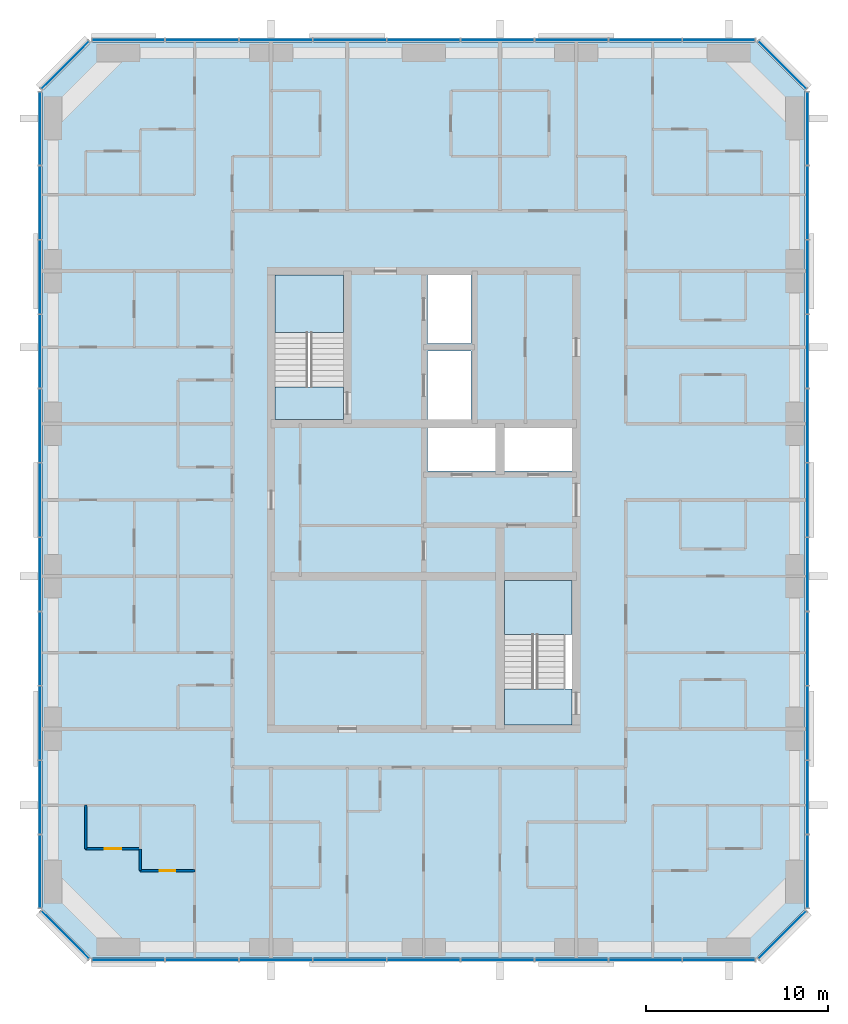
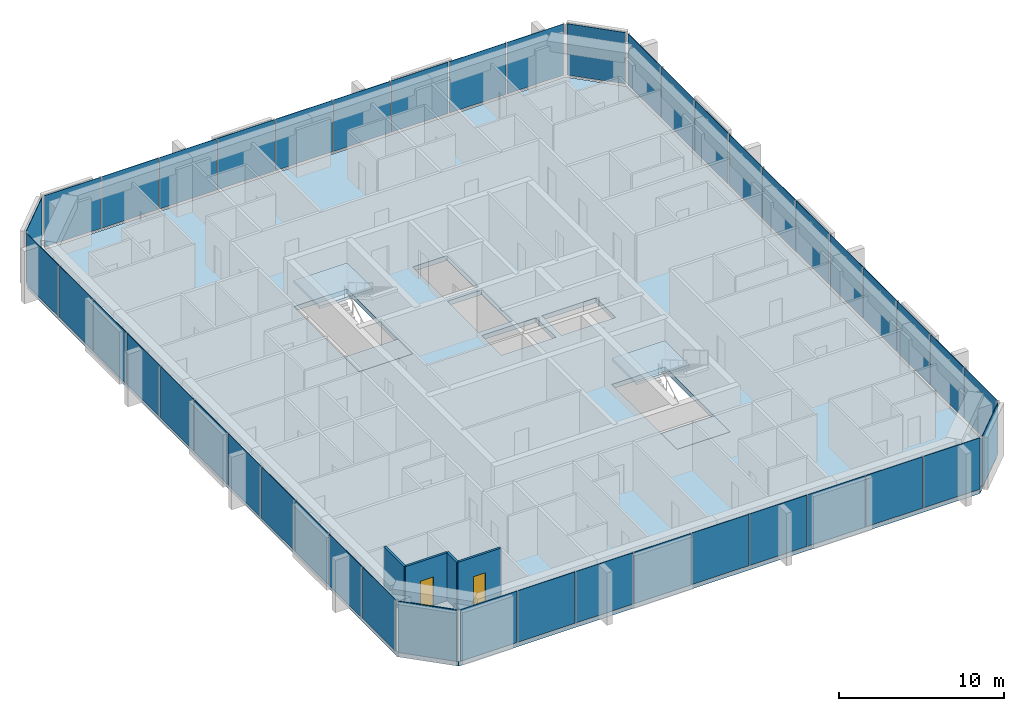
# One storey, part 6 of 12: 44 plates, 5 slabs, 4 walls, 2 doors, 2 openings, 10 elements without a shape of their own.
"""IFC4 building model written with IfcOpenShell, lengths in metres."""

from ifc_helpers import new_model, si_unit, direction, frame, frame_2d, origin, origin_2d, place, context, subcontext, project, spatial, polyline, rectangle, outline, extrude, material, layer, layer_set, type_object, element, fill, aggregate, save


model = new_model("IFC4")

# Units and contexts
model_context = context("Model", 3, precision=1e-05, world=origin(), true_north=direction((0.0, 1.0)))
body_context = subcontext(model_context, "Body", "Model", "MODEL_VIEW")
ifc_project = project(units=[si_unit("LENGTHUNIT", "METRE"), si_unit("AREAUNIT", "SQUARE_METRE"), si_unit("VOLUMEUNIT", "CUBIC_METRE"), si_unit("PLANEANGLEUNIT", "RADIAN"), si_unit("MASSUNIT", "GRAM", prefix="KILO")], contexts=[model_context])

# Site, building, storey
site_placement = place(None, origin())
site = spatial("IfcSite", under=ifc_project, at=site_placement, CompositionType="ELEMENT")
building_placement = place(site_placement, origin())
building = spatial("IfcBuilding", under=site, at=building_placement, Name="Dunama Terrace Hotel", CompositionType="ELEMENT")
storey_placement = place(building_placement, frame((0.0, 0.0, 260.699951171875)))
storey = spatial("IfcBuildingStorey", under=building, at=storey_placement, Name="L67", CompositionType="ELEMENT", Elevation=260.699951171875)

# Curtain wall, plates
ifc_material_1 = material(Name="Aluminium curtain wall system", Category="aluminium")
curtain_wall_type = type_object("IfcCurtainWallType", Name="Unitised fritted glass wall CW-D", PredefinedType="NOTDEFINED", material=ifc_material_1)
curtain_wall_1_placement = place(storey_placement, origin())
curtain_wall_1 = element("IfcCurtainWall", 1, at=curtain_wall_1_placement, inside=storey, type_object=curtain_wall_type, Name="Unitised fritted glass wall CW-D L67", PredefinedType="NOTDEFINED")
ifc_material_2 = material(Name="Laminated glass", Category="glass")
ifc_layer_1 = layer(ifc_material_2, 0.035888671875)
ifc_layer_set_1 = layer_set([ifc_layer_1], Name="CWD clear glass panel")
plate_type_1 = type_object("IfcPlateType", Name="CWD clear glass panel", PredefinedType="CURTAIN_PANEL", material=ifc_layer_set_1)
plate_1_placement = place(storey_placement, frame((21.39990234375, 4.080078125, 0.0849609375), z_axis=(0.0, 0.0, 1.0), x_axis=(1.0, 0.0, 0.0)))
plate_1 = element("IfcPlate", 2, at=plate_1_placement, type_object=plate_type_1, Name="CWD clear glass panel", PredefinedType="CURTAIN_PANEL", context=body_context, shape_type="SweptSolid", body=[
    extrude(rectangle(XDim=3.99658203125, YDim=0.035888671875, at=origin_2d()), origin(), (0.0, 0.0, 1.0), 3.81494140625),
])
plate_2_placement = place(storey_placement, frame((33.60009765625, 4.080078125, 0.0849609375), z_axis=(0.0, 0.0, 1.0), x_axis=(1.0, 0.0, 0.0)))
plate_2 = element("IfcPlate", 3, at=plate_2_placement, type_object=plate_type_1, Name="CWD clear glass panel", PredefinedType="CURTAIN_PANEL", context=body_context, shape_type="SweptSolid", body=[
    extrude(rectangle(XDim=3.99658203125, YDim=0.035888671875, at=origin_2d()), origin(), (0.0, 0.0, 1.0), 3.81494140625),
])
plate_3_placement = place(storey_placement, frame((45.800048828125, 4.080078125, 0.0849609375), z_axis=(0.0, 0.0, 1.0), x_axis=(1.0, 0.0, 0.0)))
plate_3 = element("IfcPlate", 4, at=plate_3_placement, type_object=plate_type_1, Name="CWD clear glass panel", PredefinedType="CURTAIN_PANEL", context=body_context, shape_type="SweptSolid", body=[
    extrude(rectangle(XDim=3.99658203125, YDim=0.035888671875, at=origin_2d()), origin(), (0.0, 0.0, 1.0), 3.81494140625),
])

curtain_wall_2_placement = place(storey_placement, origin())
curtain_wall_2 = element("IfcCurtainWall", 5, at=curtain_wall_2_placement, inside=storey, type_object=curtain_wall_type, Name="Unitised fritted glass wall CW-D L67", PredefinedType="NOTDEFINED")
plate_4_placement = place(storey_placement, frame((54.719970703125, 8.962890625, 0.0849609375), z_axis=(0.0, 0.0, 1.0), x_axis=(0.0, 1.0, 0.0)))
plate_4 = element("IfcPlate", 6, at=plate_4_placement, type_object=plate_type_1, Name="CWD clear glass panel", PredefinedType="CURTAIN_PANEL", context=body_context, shape_type="SweptSolid", body=[
    extrude(rectangle(XDim=3.98583984375, YDim=0.035888671875, at=origin_2d()), origin(), (0.0, 0.0, 1.0), 3.81494140625),
])
plate_5_placement = place(storey_placement, frame((54.719970703125, 21.218017578125, 0.0849609375), z_axis=(0.0, 0.0, 1.0), x_axis=(0.0, 1.0, 0.0)))
plate_5 = element("IfcPlate", 7, at=plate_5_placement, type_object=plate_type_1, Name="CWD clear glass panel", PredefinedType="CURTAIN_PANEL", context=body_context, shape_type="SweptSolid", body=[
    extrude(rectangle(XDim=4.02099609375, YDim=0.035888671875, at=origin_2d()), origin(), (0.0, 0.0, 1.0), 3.81494140625),
])
plate_6_placement = place(storey_placement, frame((54.719970703125, 33.490966796875, 0.0849609375), z_axis=(0.0, 0.0, 1.0), x_axis=(0.0, 1.0, 0.0)))
plate_6 = element("IfcPlate", 8, at=plate_6_placement, type_object=plate_type_1, Name="CWD clear glass panel", PredefinedType="CURTAIN_PANEL", context=body_context, shape_type="SweptSolid", body=[
    extrude(rectangle(XDim=4.02099609375, YDim=0.035888671875, at=origin_2d()), origin(), (0.0, 0.0, 1.0), 3.81494140625),
])
plate_7_placement = place(storey_placement, frame((54.719970703125, 45.763916015625, 0.0849609375), z_axis=(0.0, 0.0, 1.0), x_axis=(0.0, 1.0, 0.0)))
plate_7 = element("IfcPlate", 9, at=plate_7_placement, type_object=plate_type_1, Name="CWD clear glass panel", PredefinedType="CURTAIN_PANEL", context=body_context, shape_type="SweptSolid", body=[
    extrude(rectangle(XDim=4.02099609375, YDim=0.035888671875, at=origin_2d()), origin(), (0.0, 0.0, 1.0), 3.81494140625),
])

curtain_wall_3_placement = place(storey_placement, origin())
curtain_wall_3 = element("IfcCurtainWall", 10, at=curtain_wall_3_placement, inside=storey, type_object=curtain_wall_type, Name="Unitised fritted glass wall CW-D L67", PredefinedType="NOTDEFINED")
plate_8_placement = place(storey_placement, frame((49.84912109375, 54.719970703125, 0.0849609375), z_axis=(0.0, 0.0, 1.0), x_axis=(-1.0, 0.0, 0.0)))
plate_8 = element("IfcPlate", 11, at=plate_8_placement, type_object=plate_type_1, Name="CWD clear glass panel", PredefinedType="CURTAIN_PANEL", context=body_context, shape_type="SweptSolid", body=[
    extrude(rectangle(XDim=3.961669921875, YDim=0.035888671875, at=origin_2d()), origin(), (0.0, 0.0, 1.0), 3.81494140625),
])
plate_9_placement = place(storey_placement, frame((37.6669921875, 54.719970703125, 0.0849609375), z_axis=(0.0, 0.0, 1.0), x_axis=(-1.0, 0.0, 0.0)))
plate_9 = element("IfcPlate", 12, at=plate_9_placement, type_object=plate_type_1, Name="CWD clear glass panel", PredefinedType="CURTAIN_PANEL", context=body_context, shape_type="SweptSolid", body=[
    extrude(rectangle(XDim=3.99658203125, YDim=0.035888671875, at=origin_2d()), origin(), (0.0, 0.0, 1.0), 3.81494140625),
])
plate_10_placement = place(storey_placement, frame((25.467041015625, 54.719970703125, 0.0849609375), z_axis=(0.0, 0.0, 1.0), x_axis=(-1.0, 0.0, 0.0)))
plate_10 = element("IfcPlate", 13, at=plate_10_placement, type_object=plate_type_1, Name="CWD clear glass panel", PredefinedType="CURTAIN_PANEL", context=body_context, shape_type="SweptSolid", body=[
    extrude(rectangle(XDim=3.99658203125, YDim=0.035888671875, at=origin_2d()), origin(), (0.0, 0.0, 1.0), 3.81494140625),
])

# Curtain wall, plate
curtain_wall_4_placement = place(storey_placement, origin())
curtain_wall_4 = element("IfcCurtainWall", 14, at=curtain_wall_4_placement, inside=storey, type_object=curtain_wall_type, Name="Unitised fritted glass wall CW-D L67", PredefinedType="NOTDEFINED")
plate_11_placement = place(storey_placement, frame((13.864990234375, 53.3349609375, 0.0849609375), z_axis=(0.0, 0.0, 1.0), x_axis=(-0.707106781187, -0.707106781187, 0.0)))
plate_11 = element("IfcPlate", 15, at=plate_11_placement, type_object=plate_type_1, Name="CWD clear glass panel", PredefinedType="CURTAIN_PANEL", context=body_context, shape_type="SweptSolid", body=[
    extrude(rectangle(XDim=3.678466796875, YDim=0.035888671875, at=origin_2d()), origin(), (0.0, 0.0, 1.0), 3.81494140625),
])
aggregate(curtain_wall_4, [plate_11])

# Curtain wall, plates
curtain_wall_5_placement = place(storey_placement, origin())
curtain_wall_5 = element("IfcCurtainWall", 16, at=curtain_wall_5_placement, inside=storey, type_object=curtain_wall_type, Name="Unitised fritted glass wall CW-D L67", PredefinedType="NOTDEFINED")
plate_12_placement = place(storey_placement, frame((12.47998046875, 41.673095703125, 0.0849609375), z_axis=(0.0, 0.0, 1.0), x_axis=(0.0, -1.0, 0.0)))
plate_12 = element("IfcPlate", 17, at=plate_12_placement, type_object=plate_type_1, Name="CWD clear glass panel", PredefinedType="CURTAIN_PANEL", context=body_context, shape_type="SweptSolid", body=[
    extrude(rectangle(XDim=4.02099609375, YDim=0.035888671875, at=origin_2d()), origin(), (0.0, 0.0, 1.0), 3.81494140625),
])
plate_13_placement = place(storey_placement, frame((12.47998046875, 29.39990234375, 0.0849609375), z_axis=(0.0, 0.0, 1.0), x_axis=(0.0, -1.0, 0.0)))
plate_13 = element("IfcPlate", 18, at=plate_13_placement, type_object=plate_type_1, Name="CWD clear glass panel", PredefinedType="CURTAIN_PANEL", context=body_context, shape_type="SweptSolid", body=[
    extrude(rectangle(XDim=4.02099609375, YDim=0.035888671875, at=origin_2d()), origin(), (0.0, 0.0, 1.0), 3.81494140625),
])
plate_14_placement = place(storey_placement, frame((12.47998046875, 17.126953125, 0.0849609375), z_axis=(0.0, 0.0, 1.0), x_axis=(0.0, -1.0, 0.0)))
plate_14 = element("IfcPlate", 19, at=plate_14_placement, type_object=plate_type_1, Name="CWD clear glass panel", PredefinedType="CURTAIN_PANEL", context=body_context, shape_type="SweptSolid", body=[
    extrude(rectangle(XDim=4.02099609375, YDim=0.035888671875, at=origin_2d()), origin(), (0.0, 0.0, 1.0), 3.81494140625),
])

# Curtain wall, plate
curtain_wall_6_placement = place(storey_placement, origin())
curtain_wall_6 = element("IfcCurtainWall", 20, at=curtain_wall_6_placement, inside=storey, type_object=curtain_wall_type, Name="Unitised fritted glass wall CW-D L67", PredefinedType="NOTDEFINED")
plate_15_placement = place(storey_placement, frame((13.864990234375, 5.465087890625, 0.0849609375), z_axis=(0.0, 0.0, 1.0), x_axis=(0.707106781187, -0.707106781187, 0.0)))
plate_15 = element("IfcPlate", 21, at=plate_15_placement, type_object=plate_type_1, Name="CWD clear glass panel", PredefinedType="CURTAIN_PANEL", context=body_context, shape_type="SweptSolid", body=[
    extrude(rectangle(XDim=3.678466796875, YDim=0.035888671875, at=origin_2d()), origin(), (0.0, 0.0, 1.0), 3.81494140625),
])
aggregate(curtain_wall_6, [plate_15])

# Plate
ifc_material_3 = material(Name="Fritted laminated glass", Category="glass")
ifc_layer_2 = layer(ifc_material_3, 0.035888671875)
ifc_layer_set_2 = layer_set([ifc_layer_2], Name="CWD fritted glass panel")
plate_type_2 = type_object("IfcPlateType", Name="CWD fritted glass panel", PredefinedType="CURTAIN_PANEL", material=ifc_layer_set_2)
plate_16_placement = place(storey_placement, frame((17.35107421875, 4.080078125, 0.0849609375), z_axis=(0.0, 0.0, 1.0), x_axis=(1.0, 0.0, 0.0)))
plate_16 = element("IfcPlate", 22, at=plate_16_placement, type_object=plate_type_2, Name="CWD fritted glass panel", PredefinedType="CURTAIN_PANEL", context=body_context, shape_type="SweptSolid", body=[
    extrude(rectangle(XDim=3.961669921875, YDim=0.035888671875, at=origin_2d()), origin(), (0.0, 0.0, 1.0), 3.81494140625),
])

plate_17_placement = place(storey_placement, frame((29.532958984375, 4.080078125, 0.0849609375), z_axis=(0.0, 0.0, 1.0), x_axis=(1.0, 0.0, 0.0)))
plate_17 = element("IfcPlate", 23, at=plate_17_placement, type_object=plate_type_2, Name="CWD fritted glass panel", PredefinedType="CURTAIN_PANEL", context=body_context, shape_type="SweptSolid", body=[
    extrude(rectangle(XDim=3.99658203125, YDim=0.035888671875, at=origin_2d()), origin(), (0.0, 0.0, 1.0), 3.81494140625),
])

plate_18_placement = place(storey_placement, frame((41.73291015625, 4.080078125, 0.0849609375), z_axis=(0.0, 0.0, 1.0), x_axis=(1.0, 0.0, 0.0)))
plate_18 = element("IfcPlate", 24, at=plate_18_placement, type_object=plate_type_2, Name="CWD fritted glass panel", PredefinedType="CURTAIN_PANEL", context=body_context, shape_type="SweptSolid", body=[
    extrude(rectangle(XDim=3.99658203125, YDim=0.035888671875, at=origin_2d()), origin(), (0.0, 0.0, 1.0), 3.81494140625),
])

# Curtain wall, plate
curtain_wall_7_placement = place(storey_placement, origin())
curtain_wall_7 = element("IfcCurtainWall", 25, at=curtain_wall_7_placement, inside=storey, type_object=curtain_wall_type, Name="Unitised fritted glass wall CW-D L67", PredefinedType="NOTDEFINED")
plate_19_placement = place(storey_placement, frame((53.3349609375, 5.465087890625, 0.0849609375), z_axis=(0.0, 0.0, 1.0), x_axis=(0.707106781187, 0.707106781187, 0.0)))
plate_19 = element("IfcPlate", 26, at=plate_19_placement, type_object=plate_type_2, Name="CWD fritted glass panel", PredefinedType="CURTAIN_PANEL", context=body_context, shape_type="SweptSolid", body=[
    extrude(rectangle(XDim=3.678466796875, YDim=0.035888671875, at=origin_2d()), origin(), (0.0, 0.0, 1.0), 3.81494140625),
])
aggregate(curtain_wall_7, [plate_19])

# Plate
plate_20_placement = place(storey_placement, frame((54.719970703125, 17.126953125, 0.0849609375), z_axis=(0.0, 0.0, 1.0), x_axis=(0.0, 1.0, 0.0)))
plate_20 = element("IfcPlate", 27, at=plate_20_placement, type_object=plate_type_2, Name="CWD fritted glass panel", PredefinedType="CURTAIN_PANEL", context=body_context, shape_type="SweptSolid", body=[
    extrude(rectangle(XDim=4.02099609375, YDim=0.035888671875, at=origin_2d()), origin(), (0.0, 0.0, 1.0), 3.81494140625),
])

plate_21_placement = place(storey_placement, frame((54.719970703125, 29.39990234375, 0.0849609375), z_axis=(0.0, 0.0, 1.0), x_axis=(0.0, 1.0, 0.0)))
plate_21 = element("IfcPlate", 28, at=plate_21_placement, type_object=plate_type_2, Name="CWD fritted glass panel", PredefinedType="CURTAIN_PANEL", context=body_context, shape_type="SweptSolid", body=[
    extrude(rectangle(XDim=4.02099609375, YDim=0.035888671875, at=origin_2d()), origin(), (0.0, 0.0, 1.0), 3.81494140625),
])

plate_22_placement = place(storey_placement, frame((54.719970703125, 41.673095703125, 0.0849609375), z_axis=(0.0, 0.0, 1.0), x_axis=(0.0, 1.0, 0.0)))
plate_22 = element("IfcPlate", 29, at=plate_22_placement, type_object=plate_type_2, Name="CWD fritted glass panel", PredefinedType="CURTAIN_PANEL", context=body_context, shape_type="SweptSolid", body=[
    extrude(rectangle(XDim=4.02099609375, YDim=0.035888671875, at=origin_2d()), origin(), (0.0, 0.0, 1.0), 3.81494140625),
])

# Curtain wall, plate
curtain_wall_8_placement = place(storey_placement, origin())
curtain_wall_8 = element("IfcCurtainWall", 30, at=curtain_wall_8_placement, inside=storey, type_object=curtain_wall_type, Name="Unitised fritted glass wall CW-D L67", PredefinedType="NOTDEFINED")
plate_23_placement = place(storey_placement, frame((53.3349609375, 53.3349609375, 0.0849609375), z_axis=(0.0, 0.0, 1.0), x_axis=(-0.707106781187, 0.707106781187, 0.0)))
plate_23 = element("IfcPlate", 31, at=plate_23_placement, type_object=plate_type_2, Name="CWD fritted glass panel", PredefinedType="CURTAIN_PANEL", context=body_context, shape_type="SweptSolid", body=[
    extrude(rectangle(XDim=3.678466796875, YDim=0.035888671875, at=origin_2d()), origin(), (0.0, 0.0, 1.0), 3.81494140625),
])
aggregate(curtain_wall_8, [plate_23])

# Plate
plate_24_placement = place(storey_placement, frame((41.73291015625, 54.719970703125, 0.0849609375), z_axis=(0.0, 0.0, 1.0), x_axis=(-1.0, 0.0, 0.0)))
plate_24 = element("IfcPlate", 32, at=plate_24_placement, type_object=plate_type_2, Name="CWD fritted glass panel", PredefinedType="CURTAIN_PANEL", context=body_context, shape_type="SweptSolid", body=[
    extrude(rectangle(XDim=3.99658203125, YDim=0.035888671875, at=origin_2d()), origin(), (0.0, 0.0, 1.0), 3.81494140625),
])

plate_25_placement = place(storey_placement, frame((29.532958984375, 54.719970703125, 0.0849609375), z_axis=(0.0, 0.0, 1.0), x_axis=(-1.0, 0.0, 0.0)))
plate_25 = element("IfcPlate", 33, at=plate_25_placement, type_object=plate_type_2, Name="CWD fritted glass panel", PredefinedType="CURTAIN_PANEL", context=body_context, shape_type="SweptSolid", body=[
    extrude(rectangle(XDim=3.99658203125, YDim=0.035888671875, at=origin_2d()), origin(), (0.0, 0.0, 1.0), 3.81494140625),
])

plate_26_placement = place(storey_placement, frame((17.35107421875, 54.719970703125, 0.0849609375), z_axis=(0.0, 0.0, 1.0), x_axis=(-1.0, 0.0, 0.0)))
plate_26 = element("IfcPlate", 34, at=plate_26_placement, type_object=plate_type_2, Name="CWD fritted glass panel", PredefinedType="CURTAIN_PANEL", context=body_context, shape_type="SweptSolid", body=[
    extrude(rectangle(XDim=3.961669921875, YDim=0.035888671875, at=origin_2d()), origin(), (0.0, 0.0, 1.0), 3.81494140625),
])

plate_27_placement = place(storey_placement, frame((12.47998046875, 45.763916015625, 0.0849609375), z_axis=(0.0, 0.0, 1.0), x_axis=(0.0, -1.0, 0.0)))
plate_27 = element("IfcPlate", 35, at=plate_27_placement, type_object=plate_type_2, Name="CWD fritted glass panel", PredefinedType="CURTAIN_PANEL", context=body_context, shape_type="SweptSolid", body=[
    extrude(rectangle(XDim=4.02099609375, YDim=0.035888671875, at=origin_2d()), origin(), (0.0, 0.0, 1.0), 3.81494140625),
])

plate_28_placement = place(storey_placement, frame((12.47998046875, 33.490966796875, 0.0849609375), z_axis=(0.0, 0.0, 1.0), x_axis=(0.0, -1.0, 0.0)))
plate_28 = element("IfcPlate", 36, at=plate_28_placement, type_object=plate_type_2, Name="CWD fritted glass panel", PredefinedType="CURTAIN_PANEL", context=body_context, shape_type="SweptSolid", body=[
    extrude(rectangle(XDim=4.02099609375, YDim=0.035888671875, at=origin_2d()), origin(), (0.0, 0.0, 1.0), 3.81494140625),
])

plate_29_placement = place(storey_placement, frame((12.47998046875, 21.218017578125, 0.0849609375), z_axis=(0.0, 0.0, 1.0), x_axis=(0.0, -1.0, 0.0)))
plate_29 = element("IfcPlate", 37, at=plate_29_placement, type_object=plate_type_2, Name="CWD fritted glass panel", PredefinedType="CURTAIN_PANEL", context=body_context, shape_type="SweptSolid", body=[
    extrude(rectangle(XDim=4.02099609375, YDim=0.035888671875, at=origin_2d()), origin(), (0.0, 0.0, 1.0), 3.81494140625),
])

plate_30_placement = place(storey_placement, frame((12.47998046875, 8.962890625, 0.0849609375), z_axis=(0.0, 0.0, 1.0), x_axis=(0.0, -1.0, 0.0)))
plate_30 = element("IfcPlate", 38, at=plate_30_placement, type_object=plate_type_2, Name="CWD fritted glass panel", PredefinedType="CURTAIN_PANEL", context=body_context, shape_type="SweptSolid", body=[
    extrude(rectangle(XDim=3.98583984375, YDim=0.035888671875, at=origin_2d()), origin(), (0.0, 0.0, 1.0), 3.81494140625),
])

ifc_material_4 = material(Name="Laminated glass", Category="glass")
ifc_layer_3 = layer(ifc_material_4, 0.035888671875)
ifc_layer_set_3 = layer_set([ifc_layer_3], Name="CWD operable glass panel")
plate_type_3 = type_object("IfcPlateType", Name="CWD operable glass panel", PredefinedType="CURTAIN_PANEL", material=ifc_layer_set_3)
plate_31_placement = place(storey_placement, frame((25.467041015625, 4.080078125, 0.0849609375), z_axis=(0.0, 0.0, 1.0), x_axis=(1.0, 0.0, 0.0)))
plate_31 = element("IfcPlate", 39, at=plate_31_placement, type_object=plate_type_3, Name="CWD operable glass panel", PredefinedType="CURTAIN_PANEL", context=body_context, shape_type="SweptSolid", body=[
    extrude(rectangle(XDim=3.99658203125, YDim=0.035888671875, at=origin_2d()), origin(), (0.0, 0.0, 1.0), 3.81494140625),
])

plate_32_placement = place(storey_placement, frame((37.6669921875, 4.080078125, 0.0849609375), z_axis=(0.0, 0.0, 1.0), x_axis=(1.0, 0.0, 0.0)))
plate_32 = element("IfcPlate", 40, at=plate_32_placement, type_object=plate_type_3, Name="CWD operable glass panel", PredefinedType="CURTAIN_PANEL", context=body_context, shape_type="SweptSolid", body=[
    extrude(rectangle(XDim=3.99658203125, YDim=0.035888671875, at=origin_2d()), origin(), (0.0, 0.0, 1.0), 3.81494140625),
])

plate_33_placement = place(storey_placement, frame((49.84912109375, 4.080078125, 0.0849609375), z_axis=(0.0, 0.0, 1.0), x_axis=(1.0, 0.0, 0.0)))
plate_33 = element("IfcPlate", 41, at=plate_33_placement, type_object=plate_type_3, Name="CWD operable glass panel", PredefinedType="CURTAIN_PANEL", context=body_context, shape_type="SweptSolid", body=[
    extrude(rectangle(XDim=3.961669921875, YDim=0.035888671875, at=origin_2d()), origin(), (0.0, 0.0, 1.0), 3.81494140625),
])

aggregate(curtain_wall_1, [plate_16, plate_1, plate_31, plate_17, plate_2, plate_32, plate_18, plate_3, plate_33])

plate_34_placement = place(storey_placement, frame((54.719970703125, 13.035888671875, 0.0849609375), z_axis=(0.0, 0.0, 1.0), x_axis=(0.0, 1.0, 0.0)))
plate_34 = element("IfcPlate", 42, at=plate_34_placement, type_object=plate_type_3, Name="CWD operable glass panel", PredefinedType="CURTAIN_PANEL", context=body_context, shape_type="SweptSolid", body=[
    extrude(rectangle(XDim=4.02099609375, YDim=0.035888671875, at=origin_2d()), origin(), (0.0, 0.0, 1.0), 3.81494140625),
])

plate_35_placement = place(storey_placement, frame((54.719970703125, 25.30908203125, 0.0849609375), z_axis=(0.0, 0.0, 1.0), x_axis=(0.0, 1.0, 0.0)))
plate_35 = element("IfcPlate", 43, at=plate_35_placement, type_object=plate_type_3, Name="CWD operable glass panel", PredefinedType="CURTAIN_PANEL", context=body_context, shape_type="SweptSolid", body=[
    extrude(rectangle(XDim=4.02099609375, YDim=0.035888671875, at=origin_2d()), origin(), (0.0, 0.0, 1.0), 3.81494140625),
])

plate_36_placement = place(storey_placement, frame((54.719970703125, 37.58203125, 0.0849609375), z_axis=(0.0, 0.0, 1.0), x_axis=(0.0, 1.0, 0.0)))
plate_36 = element("IfcPlate", 44, at=plate_36_placement, type_object=plate_type_3, Name="CWD operable glass panel", PredefinedType="CURTAIN_PANEL", context=body_context, shape_type="SweptSolid", body=[
    extrude(rectangle(XDim=4.02099609375, YDim=0.035888671875, at=origin_2d()), origin(), (0.0, 0.0, 1.0), 3.81494140625),
])

plate_37_placement = place(storey_placement, frame((54.719970703125, 49.8369140625, 0.0849609375), z_axis=(0.0, 0.0, 1.0), x_axis=(0.0, 1.0, 0.0)))
plate_37 = element("IfcPlate", 45, at=plate_37_placement, type_object=plate_type_3, Name="CWD operable glass panel", PredefinedType="CURTAIN_PANEL", context=body_context, shape_type="SweptSolid", body=[
    extrude(rectangle(XDim=3.98583984375, YDim=0.035888671875, at=origin_2d()), origin(), (0.0, 0.0, 1.0), 3.81494140625),
])

aggregate(curtain_wall_2, [plate_4, plate_34, plate_20, plate_5, plate_35, plate_21, plate_6, plate_36, plate_22, plate_7, plate_37])

plate_38_placement = place(storey_placement, frame((45.800048828125, 54.719970703125, 0.0849609375), z_axis=(0.0, 0.0, 1.0), x_axis=(-1.0, 0.0, 0.0)))
plate_38 = element("IfcPlate", 46, at=plate_38_placement, type_object=plate_type_3, Name="CWD operable glass panel", PredefinedType="CURTAIN_PANEL", context=body_context, shape_type="SweptSolid", body=[
    extrude(rectangle(XDim=3.99658203125, YDim=0.035888671875, at=origin_2d()), origin(), (0.0, 0.0, 1.0), 3.81494140625),
])

plate_39_placement = place(storey_placement, frame((33.60009765625, 54.719970703125, 0.0849609375), z_axis=(0.0, 0.0, 1.0), x_axis=(-1.0, 0.0, 0.0)))
plate_39 = element("IfcPlate", 47, at=plate_39_placement, type_object=plate_type_3, Name="CWD operable glass panel", PredefinedType="CURTAIN_PANEL", context=body_context, shape_type="SweptSolid", body=[
    extrude(rectangle(XDim=3.99658203125, YDim=0.035888671875, at=origin_2d()), origin(), (0.0, 0.0, 1.0), 3.81494140625),
])

plate_40_placement = place(storey_placement, frame((21.39990234375, 54.719970703125, 0.0849609375), z_axis=(0.0, 0.0, 1.0), x_axis=(-1.0, 0.0, 0.0)))
plate_40 = element("IfcPlate", 48, at=plate_40_placement, type_object=plate_type_3, Name="CWD operable glass panel", PredefinedType="CURTAIN_PANEL", context=body_context, shape_type="SweptSolid", body=[
    extrude(rectangle(XDim=3.99658203125, YDim=0.035888671875, at=origin_2d()), origin(), (0.0, 0.0, 1.0), 3.81494140625),
])

aggregate(curtain_wall_3, [plate_8, plate_38, plate_24, plate_9, plate_39, plate_25, plate_10, plate_40, plate_26])

plate_41_placement = place(storey_placement, frame((12.47998046875, 49.8369140625, 0.0849609375), z_axis=(0.0, 0.0, 1.0), x_axis=(0.0, -1.0, 0.0)))
plate_41 = element("IfcPlate", 49, at=plate_41_placement, type_object=plate_type_3, Name="CWD operable glass panel", PredefinedType="CURTAIN_PANEL", context=body_context, shape_type="SweptSolid", body=[
    extrude(rectangle(XDim=3.98583984375, YDim=0.035888671875, at=origin_2d()), origin(), (0.0, 0.0, 1.0), 3.81494140625),
])

plate_42_placement = place(storey_placement, frame((12.47998046875, 37.58203125, 0.0849609375), z_axis=(0.0, 0.0, 1.0), x_axis=(0.0, -1.0, 0.0)))
plate_42 = element("IfcPlate", 50, at=plate_42_placement, type_object=plate_type_3, Name="CWD operable glass panel", PredefinedType="CURTAIN_PANEL", context=body_context, shape_type="SweptSolid", body=[
    extrude(rectangle(XDim=4.02099609375, YDim=0.035888671875, at=origin_2d()), origin(), (0.0, 0.0, 1.0), 3.81494140625),
])

plate_43_placement = place(storey_placement, frame((12.47998046875, 25.30908203125, 0.0849609375), z_axis=(0.0, 0.0, 1.0), x_axis=(0.0, -1.0, 0.0)))
plate_43 = element("IfcPlate", 51, at=plate_43_placement, type_object=plate_type_3, Name="CWD operable glass panel", PredefinedType="CURTAIN_PANEL", context=body_context, shape_type="SweptSolid", body=[
    extrude(rectangle(XDim=4.02099609375, YDim=0.035888671875, at=origin_2d()), origin(), (0.0, 0.0, 1.0), 3.81494140625),
])

plate_44_placement = place(storey_placement, frame((12.47998046875, 13.035888671875, 0.0849609375), z_axis=(0.0, 0.0, 1.0), x_axis=(0.0, -1.0, 0.0)))
plate_44 = element("IfcPlate", 52, at=plate_44_placement, type_object=plate_type_3, Name="CWD operable glass panel", PredefinedType="CURTAIN_PANEL", context=body_context, shape_type="SweptSolid", body=[
    extrude(rectangle(XDim=4.02099609375, YDim=0.035888671875, at=origin_2d()), origin(), (0.0, 0.0, 1.0), 3.81494140625),
])

aggregate(curtain_wall_5, [plate_41, plate_27, plate_12, plate_42, plate_28, plate_13, plate_43, plate_29, plate_14, plate_44, plate_30])

# Slab
ifc_material_5 = material(Name="Concrete C40/50", Category="concrete")
ifc_layer_4 = layer(ifc_material_5, 0.35009765625)
ifc_layer_set_4 = layer_set([ifc_layer_4], Name="Flat plate 350")
slab_type_1 = type_object("IfcSlabType", Name="Flat plate 350", PredefinedType="FLOOR", material=ifc_layer_set_4)
slab_1_placement = place(storey_placement, frame((0.0, 0.0, -0.349853515625)))
element("IfcSlab", 53, at=slab_1_placement, inside=storey, type_object=slab_type_1, Name="Floor slab L67", PredefinedType="FLOOR", context=body_context, shape_type="SweptSolid", body=[
    extrude(outline(polyline([(15.300048828125, 4.199951171875), (51.89990234375, 4.199951171875), (54.60009765625, 6.89990234375), (54.60009765625, 51.89990234375), (51.89990234375, 54.60009765625), (15.300048828125, 54.60009765625), (12.60009765625, 51.89990234375), (12.60009765625, 6.89990234375), (15.300048828125, 4.199951171875)]), holes=[polyline([(37.60009765625, 31.0), (37.60009765625, 33.39990234375), (33.800048828125, 33.39990234375), (33.800048828125, 31.0), (37.60009765625, 31.0)]), polyline([(41.800048828125, 31.0), (41.800048828125, 33.39990234375), (38.0, 33.39990234375), (38.0, 31.0), (41.800048828125, 31.0)]), polyline([(36.199951171875, 38.0), (36.199951171875, 41.800048828125), (33.800048828125, 41.800048828125), (33.800048828125, 38.0), (36.199951171875, 38.0)]), polyline([(36.199951171875, 33.800048828125), (36.199951171875, 37.60009765625), (33.800048828125, 37.60009765625), (33.800048828125, 33.800048828125), (36.199951171875, 33.800048828125)]), polyline([(29.175048828125, 33.824951171875), (29.175048828125, 41.77490234375), (25.425048828125, 41.77490234375), (25.425048828125, 33.824951171875), (29.175048828125, 33.824951171875)]), polyline([(41.77490234375, 17.02490234375), (41.77490234375, 24.97509765625), (38.050048828125, 24.97509765625), (38.050048828125, 17.02490234375), (41.77490234375, 17.02490234375)])]), origin(), (0.0, 0.0, 1.0), 0.349853515625),
])

# Stair, slabs
ifc_material_6 = material(Name="Concrete C40/50", Category="concrete")
stair_type_1 = type_object("IfcStairType", Name="Stair ST1-3900-1800", PredefinedType="HALF_TURN_STAIR", material=ifc_material_6)
stair_1_placement = place(storey_placement, origin())
stair_1 = element("IfcStair", 54, at=stair_1_placement, inside=storey, type_object=stair_type_1, Name="Stair ST1 L67", PredefinedType="HALF_TURN_STAIR")
ifc_material_7 = material(Name="Concrete C40/50", Category="concrete")
ifc_layer_5 = layer(ifc_material_7, 0.199951171875)
ifc_layer_set_5 = layer_set([ifc_layer_5], Name="Stair landing 200")
slab_type_2 = type_object("IfcSlabType", Name="Stair landing 200", PredefinedType="LANDING", material=ifc_layer_set_5)
slab_2_placement = place(storey_placement, frame((0.0, 0.0, -0.199951171875)))
slab_2 = element("IfcSlab", 55, at=slab_2_placement, type_object=slab_type_2, Name="ST1 landing 1, type S10", PredefinedType="LANDING", context=body_context, shape_type="SweptSolid", body=[
    extrude(outline(polyline([(25.425048828125, 33.824951171875), (29.175048828125, 33.824951171875), (29.175048828125, 35.625), (25.425048828125, 35.625), (25.425048828125, 33.824951171875)])), origin(), (0.0, 0.0, 1.0), 0.199951171875),
])
slab_3_placement = place(storey_placement, frame((0.0, 0.0, 1.75)))
slab_3 = element("IfcSlab", 56, at=slab_3_placement, type_object=slab_type_2, Name="ST1 landing 2, type S10", PredefinedType="LANDING", context=body_context, shape_type="SweptSolid", body=[
    extrude(outline(polyline([(25.425048828125, 38.625), (29.175048828125, 38.625), (29.175048828125, 41.77490234375), (25.425048828125, 41.77490234375), (25.425048828125, 38.625)])), origin(), (0.0, 0.0, 1.0), 0.199951171875),
])
aggregate(stair_1, [slab_2, slab_3])

ifc_material_8 = material(Name="Concrete C40/50", Category="concrete")
stair_type_2 = type_object("IfcStairType", Name="Stair ST2-3900-1600", PredefinedType="HALF_TURN_STAIR", material=ifc_material_8)
stair_2_placement = place(storey_placement, origin())
stair_2 = element("IfcStair", 57, at=stair_2_placement, inside=storey, type_object=stair_type_2, Name="Stair ST2 L67", PredefinedType="HALF_TURN_STAIR")
slab_4_placement = place(storey_placement, frame((0.0, 0.0, -0.199951171875)))
slab_4 = element("IfcSlab", 58, at=slab_4_placement, type_object=slab_type_2, Name="ST2 landing 1, type S10", PredefinedType="LANDING", context=body_context, shape_type="SweptSolid", body=[
    extrude(outline(polyline([(38.050048828125, 17.02490234375), (41.77490234375, 17.02490234375), (41.77490234375, 19.0), (38.050048828125, 19.0), (38.050048828125, 17.02490234375)])), origin(), (0.0, 0.0, 1.0), 0.199951171875),
])
slab_5_placement = place(storey_placement, frame((0.0, 0.0, 1.75)))
slab_5 = element("IfcSlab", 59, at=slab_5_placement, type_object=slab_type_2, Name="ST2 landing 2, type S10", PredefinedType="LANDING", context=body_context, shape_type="SweptSolid", body=[
    extrude(outline(polyline([(38.050048828125, 22.0), (41.77490234375, 22.0), (41.77490234375, 24.97509765625), (38.050048828125, 24.97509765625), (38.050048828125, 22.0)])), origin(), (0.0, 0.0, 1.0), 0.199951171875),
])
aggregate(stair_2, [slab_4, slab_5])

# Wall
ifc_material_9 = material(Name="Gypsum board partition", Category="masonry")
ifc_layer_6 = layer(ifc_material_9, 0.14990234375)
ifc_layer_set_6 = layer_set([ifc_layer_6], Name="Bathroom partition 150")
wall_type_1 = type_object("IfcWallType", Name="Bathroom partition 150", PredefinedType="PARTITIONING", material=ifc_layer_set_6)
wall_1_placement = place(storey_placement, frame((18.0, 9.0, 0.0), z_axis=(0.0, 0.0, 1.0), x_axis=(0.0, 1.0, 0.0)))
element("IfcWall", 60, at=wall_1_placement, inside=storey, type_object=wall_type_1, Name="Bathroom partition 150 L67", PredefinedType="PARTITIONING", context=body_context, shape_type="SweptSolid", body=[
    extrude(rectangle(XDim=1.199951171875, YDim=0.14990234375, at=frame_2d((0.60009765625, 0.0))), origin(), (0.0, 0.0, 1.0), 3.550048828125),
])

# Wall, opening, door
wall_2_placement = place(storey_placement, frame((18.0, 9.0, 0.0), z_axis=(0.0, 0.0, 1.0), x_axis=(1.0, 0.0, 0.0)))
wall_2 = element("IfcWall", 61, at=wall_2_placement, inside=storey, type_object=wall_type_1, Name="Bathroom partition 150 L67", PredefinedType="PARTITIONING", context=body_context, shape_type="SweptSolid", body=[
    extrude(rectangle(XDim=3.0, YDim=0.14990234375, at=frame_2d((1.5, 0.0))), origin(), (0.0, 0.0, 1.0), 3.550048828125),
])
opening_1_placement = place(wall_2_placement, frame((1.074951171875, 0.0, 0.0)))
opening_1 = element("IfcOpeningElement", 62, at=opening_1_placement, cuts=wall_2, Name="Opening L65-67-047", PredefinedType="OPENING", context=body_context, shape_type="SweptSolid", body=[
    extrude(rectangle(XDim=0.85009765625, YDim=2.10009765625, at=frame_2d((0.425048828125, 1.050048828125))), frame((0.0, 0.0849609375, 0.0), z_axis=(0.0, -1.0, 0.0), x_axis=(1.0, 0.0, 0.0)), (0.0, 0.0, 1.0), 0.169921875),
])
ifc_material_10 = material(Name="Timber door with steel frame", Category="steel")
door_type_1 = type_object("IfcDoorType", Name="Bathroom door 850", OperationType="SINGLE_SWING_LEFT", PredefinedType="DOOR", material=ifc_material_10)
door_1_placement = place(opening_1_placement, origin())
door_1 = element("IfcDoor", 63, at=door_1_placement, inside=storey, type_object=door_type_1, Name="Door to en-suite bathroom L65-67-047, type D2", OperationType="SINGLE_SWING_LEFT", OverallHeight=2.10009765625, OverallWidth=0.85009765625, PredefinedType="DOOR", context=body_context, shape_type="SweptSolid", body=[
    extrude(rectangle(XDim=0.85009765625, YDim=2.10009765625, at=frame_2d((0.425048828125, 1.050048828125))), frame((0.0, 0.02490234375, 0.0), z_axis=(0.0, -1.0, 0.0), x_axis=(1.0, 0.0, 0.0)), (0.0, 0.0, 1.0), 0.050048828125),
])
fill(opening_1, door_1)

# Wall
ifc_material_11 = material(Name="Gypsum board partition", Category="masonry")
ifc_layer_7 = layer(ifc_material_11, 0.14990234375)
ifc_layer_set_7 = layer_set([ifc_layer_7], Name="Room partition 150")
wall_type_2 = type_object("IfcWallType", Name="Room partition 150", PredefinedType="PARTITIONING", material=ifc_layer_set_7)
wall_3_placement = place(storey_placement, frame((15.0, 10.199951171875, 0.0), z_axis=(0.0, 0.0, 1.0), x_axis=(0.0, 1.0, 0.0)))
element("IfcWall", 64, at=wall_3_placement, inside=storey, type_object=wall_type_2, Name="Room partition 150 L67", PredefinedType="PARTITIONING", context=body_context, shape_type="SweptSolid", body=[
    extrude(rectangle(XDim=2.400146484375, YDim=0.14990234375, at=frame_2d((1.2001953125, 0.0))), origin(), (0.0, 0.0, 1.0), 3.550048828125),
])

# Wall, opening, door
wall_4_placement = place(storey_placement, frame((15.0, 10.199951171875, 0.0), z_axis=(0.0, 0.0, 1.0), x_axis=(1.0, 0.0, 0.0)))
wall_4 = element("IfcWall", 65, at=wall_4_placement, inside=storey, type_object=wall_type_2, Name="Room partition 150 L67", PredefinedType="PARTITIONING", context=body_context, shape_type="SweptSolid", body=[
    extrude(rectangle(XDim=3.0, YDim=0.14990234375, at=frame_2d((1.5, 0.0))), origin(), (0.0, 0.0, 1.0), 3.550048828125),
])
opening_2_placement = place(wall_4_placement, frame((1.050048828125, 0.0, 0.0)))
opening_2 = element("IfcOpeningElement", 66, at=opening_2_placement, cuts=wall_4, Name="Opening L65-67-048", PredefinedType="OPENING", context=body_context, shape_type="SweptSolid", body=[
    extrude(rectangle(XDim=0.89990234375, YDim=2.10009765625, at=frame_2d((0.449951171875, 1.050048828125))), frame((0.0, 0.0849609375, 0.0), z_axis=(0.0, -1.0, 0.0), x_axis=(1.0, 0.0, 0.0)), (0.0, 0.0, 1.0), 0.169921875),
])
ifc_material_12 = material(Name="Timber door with steel frame", Category="steel")
door_type_2 = type_object("IfcDoorType", Name="Suite internal door 900", OperationType="SINGLE_SWING_LEFT", PredefinedType="DOOR", material=ifc_material_12)
door_2_placement = place(opening_2_placement, origin())
door_2 = element("IfcDoor", 67, at=door_2_placement, inside=storey, type_object=door_type_2, Name="Door to dressing room L65-67-048, type D16", OperationType="SINGLE_SWING_LEFT", OverallHeight=2.10009765625, OverallWidth=0.89990234375, PredefinedType="DOOR", context=body_context, shape_type="SweptSolid", body=[
    extrude(rectangle(XDim=0.89990234375, YDim=2.10009765625, at=frame_2d((0.449951171875, 1.050048828125))), frame((0.0, 0.02490234375, 0.0), z_axis=(0.0, -1.0, 0.0), x_axis=(1.0, 0.0, 0.0)), (0.0, 0.0, 1.0), 0.050048828125),
])
fill(opening_2, door_2)

save(model, "model.ifc")
